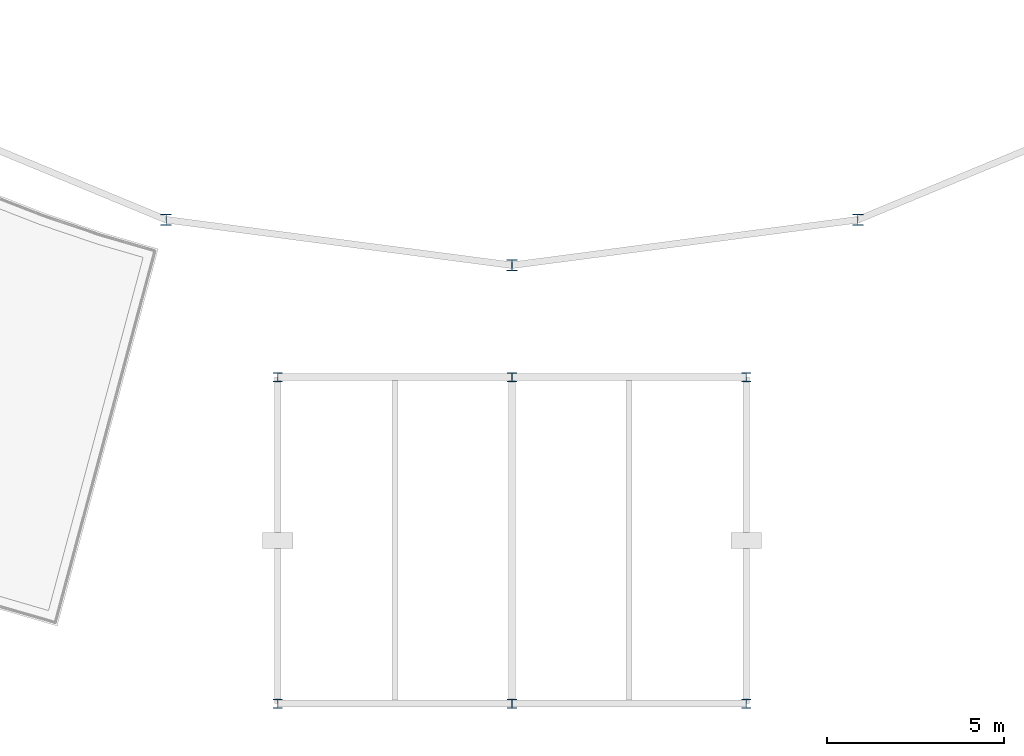
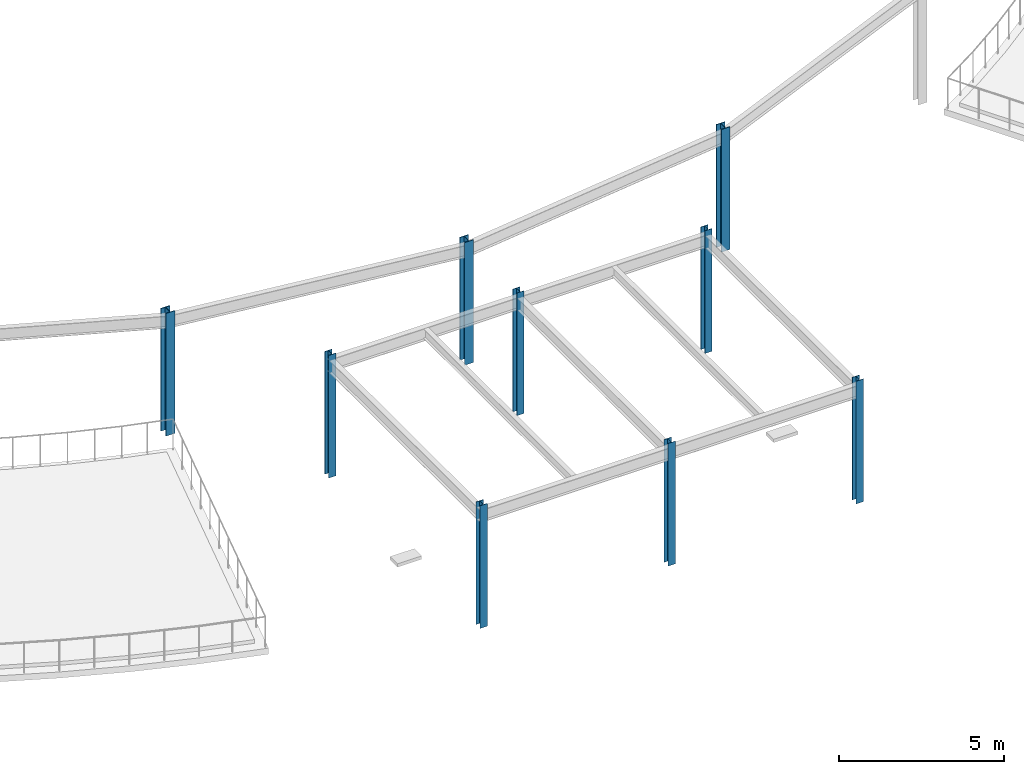
# One storey, part 6 of 157: 9 columns.
"""IFC4 building model written with IfcOpenShell, lengths in metres."""

from ifc_helpers import new_model, si_unit, direction, frame, origin, origin_2d, place, context, subcontext, project, spatial, i_section, extrude, material, material_profile, profile_set, type_object, element, save


model = new_model("IFC4")

# Units and contexts
model_context = context("Model", 3, precision=1e-05, world=origin(), true_north=direction((0.0, 1.0)))
body_context = subcontext(model_context, "Body", "Model", "MODEL_VIEW")
ifc_project = project(units=[si_unit("LENGTHUNIT", "METRE"), si_unit("AREAUNIT", "SQUARE_METRE"), si_unit("VOLUMEUNIT", "CUBIC_METRE"), si_unit("PLANEANGLEUNIT", "RADIAN"), si_unit("MASSUNIT", "GRAM", prefix="KILO")], contexts=[model_context])

# Site, building, storey
site_placement = place(None, origin())
site = spatial("IfcSite", under=ifc_project, at=site_placement, CompositionType="ELEMENT")
building_placement = place(site_placement, origin())
building = spatial("IfcBuilding", under=site, at=building_placement, Name="Almandine Court Research Institute", CompositionType="ELEMENT")
storey_placement = place(building_placement, frame((0.0, 0.0, 5.25)))
storey = spatial("IfcBuildingStorey", under=building, at=storey_placement, Name="L01", CompositionType="ELEMENT", Elevation=5.25)

# Columns
ifc_material = material(Name="Steel ASTM A992 Grade 50", Category="steel")
ifc_material_profile_1 = material_profile(ifc_material, i_section(OverallWidth=0.31005859375, OverallDepth=0.326904296875, WebThickness=0.01611328125, FlangeThickness=0.02490234375, at=origin_2d()), Name="W310x158")
ifc_profile_set_1 = profile_set([ifc_material_profile_1], Name="Steel ASTM A992 Grade 50")
column_type_1 = type_object("IfcColumnType", Name="Col-C-W06", PredefinedType="COLUMN", material=ifc_profile_set_1)
for number, where, z_axis, x_axis, name in (
    (1, (77.2548828125, 19.633056640625, 0.0), (0.0, 0.0, 1.0), (1.0, 0.0, 0.0), "L01 V2 Column V2-OUT-S17"),
    (2, (87.0, 18.35009765625, 0.0), (0.0, 0.0, 1.0), (1.0, 0.0, 0.0), "L01 V2 Column V2-OUT-S18"),
    (3, (96.7451171875, 19.633056640625, 0.0), (0.0, 0.0, 1.0), (1.0, 0.0, 0.0), "L01 V2 Column V2-OUT-S19"),
):
    element("IfcColumn", number, at=place(storey_placement, frame(where, z_axis=z_axis, x_axis=x_axis)), inside=storey, type_object=column_type_1, Name=name, PredefinedType="COLUMN", context=body_context, shape_type="SweptSolid", body=[
        extrude(i_section(OverallWidth=0.31005859375, OverallDepth=0.326904296875, WebThickness=0.01611328125, FlangeThickness=0.02490234375, at=origin_2d()), origin(), (0.0, 0.0, 1.0), 4.550048828125),
    ])
ifc_material_profile_2 = material_profile(ifc_material, i_section(OverallWidth=0.25390625, OverallDepth=0.2529296875, WebThickness=0.009033203125, FlangeThickness=0.013916015625, at=origin_2d()), Name="W250x73")
ifc_profile_set_2 = profile_set([ifc_material_profile_2], Name="Steel ASTM A992 Grade 50")
column_type_2 = type_object("IfcColumnType", Name="Col-C-W10-E", PredefinedType="COLUMN", material=ifc_profile_set_2)
for number, where, z_axis, x_axis, name in (
    (4, (80.39990234375, 6.0, 0.0), (0.0, 0.0, 1.0), (1.0, 0.0, 0.0), "L01 PSH-S Column PSH-S-X1Y1"),
    (5, (80.39990234375, 15.199951171875, 0.0), (0.0, 0.0, 1.0), (1.0, 0.0, 0.0), "L01 PSH-S Column PSH-S-X1Y2"),
    (6, (87.0, 6.0, 0.0), (0.0, 0.0, 1.0), (1.0, 0.0, 0.0), "L01 PSH-S Column PSH-S-X2Y1"),
    (7, (87.0, 15.199951171875, 0.0), (0.0, 0.0, 1.0), (1.0, 0.0, 0.0), "L01 PSH-S Column PSH-S-X2Y2"),
    (8, (93.60009765625, 6.0, 0.0), (0.0, 0.0, 1.0), (1.0, 0.0, 0.0), "L01 PSH-S Column PSH-S-X3Y1"),
    (9, (93.60009765625, 15.199951171875, 0.0), (0.0, 0.0, 1.0), (1.0, 0.0, 0.0), "L01 PSH-S Column PSH-S-X3Y2"),
):
    element("IfcColumn", number, at=place(storey_placement, frame(where, z_axis=z_axis, x_axis=x_axis)), inside=storey, type_object=column_type_2, Name=name, PredefinedType="COLUMN", context=body_context, shape_type="SweptSolid", body=[
        extrude(i_section(OverallWidth=0.25390625, OverallDepth=0.2529296875, WebThickness=0.009033203125, FlangeThickness=0.013916015625, at=origin_2d()), origin(), (0.0, 0.0, 1.0), 4.550048828125),
    ])

save(model, "model.ifc")
